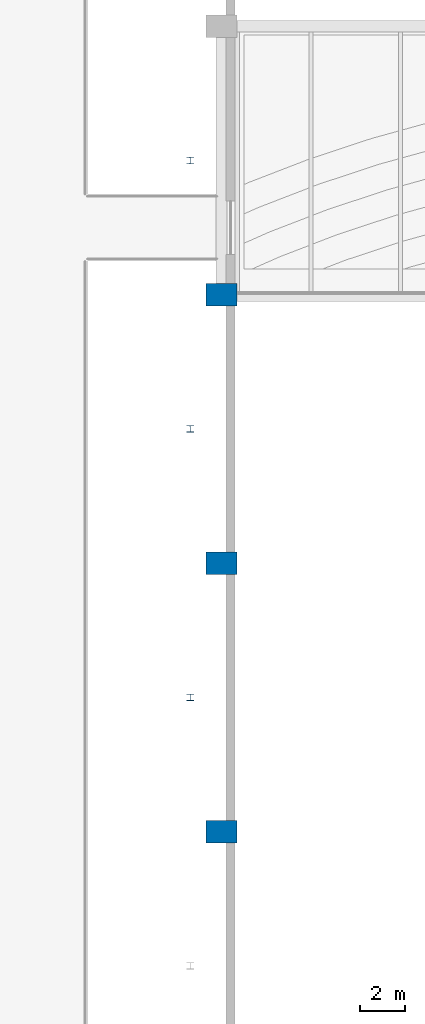
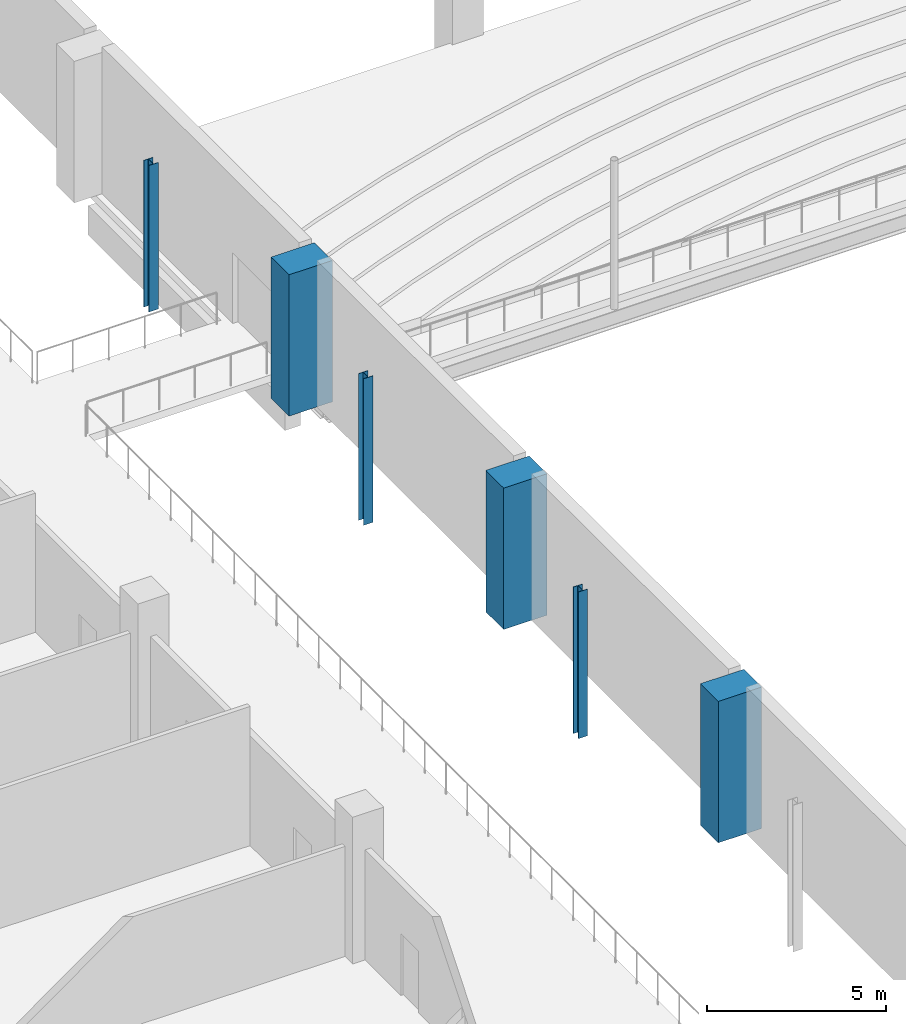
# One storey, part 6 of 69: 6 columns.
"""IFC4 building model written with IfcOpenShell, lengths in metres."""

import ifcopenshell
import ifcopenshell.guid

model = None  # the IFC model being written
_history = None  # IfcOwnerHistory: only IFC2X3 demands one
_inside = {}  # id of a spatial element -> (the spatial element, [elements in it])
_under = {}  # id of a project, library or spatial element -> (it, [spatial elements below it])
_declared = {}  # id of a project -> (the project, [libraries it declares])
_typed = {}  # id of a type object -> (the type object, [elements of that type])
_made_of = {}  # id of a material, layer set ... -> (it, [elements and type objects made of it])


def new_model(schema):
    """Start an empty IFC model of exactly this schema.

    Asked for "IFC4X3", IfcOpenShell would pick the latest addendum, in which some entities
    have other attributes; the version numbers below select the first issue.
    IFC2X3 requires an IfcOwnerHistory on every rooted entity: one is made here for all.
    """
    global model, _history
    if schema == "IFC4X3":
        model = ifcopenshell.file(schema_version=(4, 3, 0, 0))
    else:
        model = ifcopenshell.file(schema=schema)
    _inside.clear()
    _under.clear()
    _declared.clear()
    _typed.clear()
    _made_of.clear()
    _history = None
    if model.schema == "IFC2X3":
        org = make("IfcOrganization", Name="unknown")
        user = make(
            "IfcPersonAndOrganization",
            ThePerson=make("IfcPerson", FamilyName="unknown"),
            TheOrganization=org,
        )
        app = make(
            "IfcApplication",
            ApplicationDeveloper=org,
            Version="unknown",
            ApplicationFullName="unknown",
            ApplicationIdentifier="unknown",
        )
        _history = make(
            "IfcOwnerHistory",
            OwningUser=user,
            OwningApplication=app,
            ChangeAction="ADDED",
            CreationDate=0,
        )
    return model


def make(cls, **values):
    """One entity of the class cls with the attributes given. An attribute that is None is left unset."""
    return model.create_entity(
        cls, **{name: value for name, value in values.items() if value is not None}
    )


def rooted(cls, **values):
    """An entity with a GlobalId (a new one), such as an element, a storey or a relation."""
    return make(cls, GlobalId=ifcopenshell.guid.new(), OwnerHistory=_history, **values)


def si_unit(unit_type, name, prefix=None):
    """IfcSIUnit, for example si_unit("LENGTHUNIT", "METRE", prefix="MILLI")."""
    return make("IfcSIUnit", UnitType=unit_type, Prefix=prefix, Name=name)


def assignment(units):
    """IfcUnitAssignment: the units of a project."""
    return None if units is None else make("IfcUnitAssignment", Units=units)


def point(xyz):
    """IfcCartesianPoint."""
    return None if xyz is None else make("IfcCartesianPoint", Coordinates=xyz)


def direction(xyz):
    """IfcDirection."""
    return None if xyz is None else make("IfcDirection", DirectionRatios=xyz)


def frame(location, z_axis=None, x_axis=None):
    """IfcAxis2Placement3D, a coordinate frame: its origin and axes. An axis left out is left unset."""
    return make(
        "IfcAxis2Placement3D",
        Location=point(location),
        Axis=direction(z_axis),
        RefDirection=direction(x_axis),
    )


def frame_2d(location, x_axis=None):
    """IfcAxis2Placement2D, a coordinate frame in the plane: its origin and x axis."""
    return make(
        "IfcAxis2Placement2D", Location=point(location), RefDirection=direction(x_axis)
    )


def origin():
    """The frame at (0, 0, 0) with its axes left unset."""
    return frame((0.0, 0.0, 0.0))


def origin_2d():
    """The frame at (0, 0) in the plane with its x axis left unset."""
    return frame_2d((0.0, 0.0))


def place(relative_to, where):
    """IfcLocalPlacement: puts the frame where relative to a parent placement (None: the world)."""
    return make(
        "IfcLocalPlacement", PlacementRelTo=relative_to, RelativePlacement=where
    )


def context(
    kind, dimensions, precision=None, world=None, true_north=None, identifier=None
):
    """IfcGeometricRepresentationContext, for example the 3D "Model" context."""
    return make(
        "IfcGeometricRepresentationContext",
        ContextIdentifier=identifier,
        ContextType=kind,
        CoordinateSpaceDimension=dimensions,
        Precision=precision,
        WorldCoordinateSystem=world,
        TrueNorth=true_north,
    )


def subcontext(parent, identifier, kind, view, scale=None):
    """IfcGeometricRepresentationSubContext, for example "Body" below "Model"."""
    return make(
        "IfcGeometricRepresentationSubContext",
        ContextIdentifier=identifier,
        ContextType=kind,
        ParentContext=parent,
        TargetScale=scale,
        TargetView=view,
    )


def project(units=None, contexts=None):
    """IfcProject with its units and contexts."""
    return rooted(
        "IfcProject",
        Name="project",
        RepresentationContexts=contexts,
        UnitsInContext=assignment(units),
    )


def spatial(cls, under=None, at=None, **own):
    """A site, building, storey or space (cls), placed at a placement, below another one or the project."""
    s = rooted(cls, ObjectPlacement=at, **own)
    if under is not None:
        _under.setdefault(under.id(), (under, []))[1].append(s)
    return s


def profile(cls, at=None, kind="AREA", **sizes):
    """A parametric profile (cls). Its sizes go by their IFC names, for example OverallWidth=200.0."""
    return make(cls, ProfileType=kind, Position=at, **sizes)


def rectangle(**sizes):
    """IfcRectangleProfileDef."""
    return profile("IfcRectangleProfileDef", **sizes)


def i_section(**sizes):
    """IfcIShapeProfileDef."""
    return profile("IfcIShapeProfileDef", **sizes)


def extrude(swept, where, along, depth):
    """IfcExtrudedAreaSolid: the profile swept, set in the frame where, extruded along a direction by depth."""
    return make(
        "IfcExtrudedAreaSolid",
        SweptArea=swept,
        Position=where,
        ExtrudedDirection=direction(along),
        Depth=depth,
    )


def shape(context_of_items, identifier, shape_type, items):
    """IfcShapeRepresentation: the items that make up one representation, for example the "Body"."""
    return make(
        "IfcShapeRepresentation",
        ContextOfItems=context_of_items,
        RepresentationIdentifier=identifier,
        RepresentationType=shape_type,
        Items=items,
    )


def material(Name=None, Category=None):
    """IfcMaterial."""
    return make("IfcMaterial", Name=Name, Category=Category)


def material_profile(
    of_material, cross_section, Name=None, Category=None, Priority=None
):
    """IfcMaterialProfile: a cross section and its material."""
    return make(
        "IfcMaterialProfile",
        Name=Name,
        Material=of_material,
        Profile=cross_section,
        Priority=Priority,
        Category=Category,
    )


def profile_set(profiles, Name=None, composite=None):
    """IfcMaterialProfileSet."""
    return make(
        "IfcMaterialProfileSet",
        Name=Name,
        MaterialProfiles=profiles,
        CompositeProfile=composite,
    )


def made_of(thing, what):
    """Note that an element or type object is made of a material, layer set ...; save() writes the relation."""
    if what is not None:
        _made_of.setdefault(what.id(), (what, []))[1].append(thing)
    return thing


def type_object(cls, material=None, **own):
    """A type object (cls), such as IfcWallType, which elements share."""
    return made_of(rooted(cls, **own), material)


def element(
    cls,
    number,
    at=None,
    inside=None,
    cuts=None,
    type_object=None,
    material=None,
    context=None,
    identifier="Body",
    shape_type=None,
    held_by="IfcProductDefinitionShape",
    body=None,
    shapes=None,
    **own,
):
    """One element of the class cls, such as IfcWall. Its Tag is "e" and its number.

    at: its placement. inside: the storey or other place that contains it. cuts: it is an
    opening in that element (IfcRelVoidsElement). A single representation is given by context,
    identifier, shape_type and body (its items); several are given by shapes. held_by: the class
    of the entity that holds the representations. save() writes the other relations.
    """
    e = rooted(cls, Tag="e%d" % number, ObjectPlacement=at, **own)
    if body is not None:
        shapes = [shape(context, identifier, shape_type, body)]
    if shapes is not None:
        e.Representation = make(held_by, Representations=shapes)
    if inside is not None:
        _inside.setdefault(inside.id(), (inside, []))[1].append(e)
    if cuts is not None:
        rooted(
            "IfcRelVoidsElement", RelatingBuildingElement=cuts, RelatedOpeningElement=e
        )
    if type_object is not None:
        _typed.setdefault(type_object.id(), (type_object, []))[1].append(e)
    return made_of(e, material)


def aggregate(whole, parts):
    """IfcRelAggregates: a whole, such as a stair, and the parts it consists of."""
    return rooted("IfcRelAggregates", RelatingObject=whole, RelatedObjects=parts)


def save(model, path):
    """Write the relations noted so far, then the file.

    IfcRelAggregates (storeys below a building ...), IfcRelContainedInSpatialStructure (elements
    in a storey), IfcRelDefinesByType, IfcRelAssociatesMaterial and IfcRelDeclares: one each for
    every whole, place, type object, material and project.
    """
    for whole, parts in _under.values():
        aggregate(whole, parts)
    for where, things in _inside.values():
        rooted(
            "IfcRelContainedInSpatialStructure",
            RelatedElements=things,
            RelatingStructure=where,
        )
    for kind, things in _typed.values():
        rooted("IfcRelDefinesByType", RelatedObjects=things, RelatingType=kind)
    for what, things in _made_of.values():
        rooted("IfcRelAssociatesMaterial", RelatedObjects=things, RelatingMaterial=what)
    for by, libraries in _declared.values():
        rooted("IfcRelDeclares", RelatingContext=by, RelatedDefinitions=libraries)
    model.write(path)


model = new_model("IFC4")

# Units and contexts
model_context = context("Model", 3, precision=1e-05, world=origin(), true_north=direction((0.0, 1.0)))
body_context = subcontext(model_context, "Body", "Model", "MODEL_VIEW")
ifc_project = project(units=[si_unit("LENGTHUNIT", "METRE"), si_unit("AREAUNIT", "SQUARE_METRE"), si_unit("VOLUMEUNIT", "CUBIC_METRE"), si_unit("PLANEANGLEUNIT", "RADIAN"), si_unit("MASSUNIT", "GRAM", prefix="KILO")], contexts=[model_context])

# Site, building, storey
site_placement = place(None, origin())
site = spatial("IfcSite", under=ifc_project, at=site_placement, CompositionType="ELEMENT")
building_placement = place(site_placement, origin())
building = spatial("IfcBuilding", under=site, at=building_placement, Name="Lilac Gate Convention Centre", CompositionType="ELEMENT")
storey_placement = place(building_placement, frame((0.0, 0.0, 12.0)))
storey = spatial("IfcBuildingStorey", under=building, at=storey_placement, Name="L02", CompositionType="ELEMENT", Elevation=12.0)

# Columns
ifc_material_1 = material(Name="Concrete C40", Category="concrete")
ifc_material_profile_1 = material_profile(ifc_material_1, rectangle(XDim=1.39990234375, YDim=1.0, at=origin_2d()), Name="RC 1400x1000")
ifc_profile_set_1 = profile_set([ifc_material_profile_1], Name="Concrete C40")
column_type_1 = type_object("IfcColumnType", Name="RC hall column 1400x1000 C40", PredefinedType="COLUMN", material=ifc_profile_set_1)
for number, where, z_axis, x_axis, name in (
    (1, (30.0, 126.0, 0.0), (0.0, 0.0, 1.0), (1.0, 0.0, 0.0), "C2 L02 at 3/J"),
    (2, (30.0, 138.0, 0.0), (0.0, 0.0, 1.0), (1.0, 0.0, 0.0), "C2 L02 at 3/K"),
    (3, (30.0, 150.0, 0.0), (0.0, 0.0, 1.0), (1.0, 0.0, 0.0), "C2 L02 at 3/L"),
):
    element("IfcColumn", number, at=place(storey_placement, frame(where, z_axis=z_axis, x_axis=x_axis)), inside=storey, type_object=column_type_1, Name=name, PredefinedType="COLUMN", context=body_context, shape_type="SweptSolid", body=[
        extrude(rectangle(XDim=1.39990234375, YDim=1.0, at=origin_2d()), origin(), (0.0, 0.0, 1.0), 4.824951171875),
    ])
ifc_material_2 = material(Name="Steel Q355B", Category="steel")
ifc_material_profile_2 = material_profile(ifc_material_2, i_section(OverallWidth=0.300048828125, OverallDepth=0.300048828125, WebThickness=0.010009765625, FlangeThickness=0.014892578125, FilletRadius=0.012939453125, at=origin_2d()), Name="HW300x300x10x15")
ifc_profile_set_2 = profile_set([ifc_material_profile_2], Name="Steel Q355B")
column_type_2 = type_object("IfcColumnType", Name="Steel column HW300x300x10x15", PredefinedType="COLUMN", material=ifc_profile_set_2)
for number, where, z_axis, x_axis, name in (
    (4, (28.60009765625, 132.0, 0.0), (0.0, 0.0, 1.0), (1.0, 0.0, 0.0), "SC1 L02 atrium column at 132"),
    (5, (28.60009765625, 144.0, 0.0), (0.0, 0.0, 1.0), (1.0, 0.0, 0.0), "SC1 L02 atrium column at 144"),
    (6, (28.60009765625, 156.0, 0.0), (0.0, 0.0, 1.0), (1.0, 0.0, 0.0), "SC1 L02 atrium column at 156"),
):
    element("IfcColumn", number, at=place(storey_placement, frame(where, z_axis=z_axis, x_axis=x_axis)), inside=storey, type_object=column_type_2, Name=name, PredefinedType="COLUMN", context=body_context, shape_type="SweptSolid", body=[
        extrude(i_section(OverallWidth=0.300048828125, OverallDepth=0.300048828125, WebThickness=0.010009765625, FlangeThickness=0.014892578125, FilletRadius=0.012939453125, at=origin_2d()), origin(), (0.0, 0.0, 1.0), 5.0),
    ])

save(model, "model.ifc")
